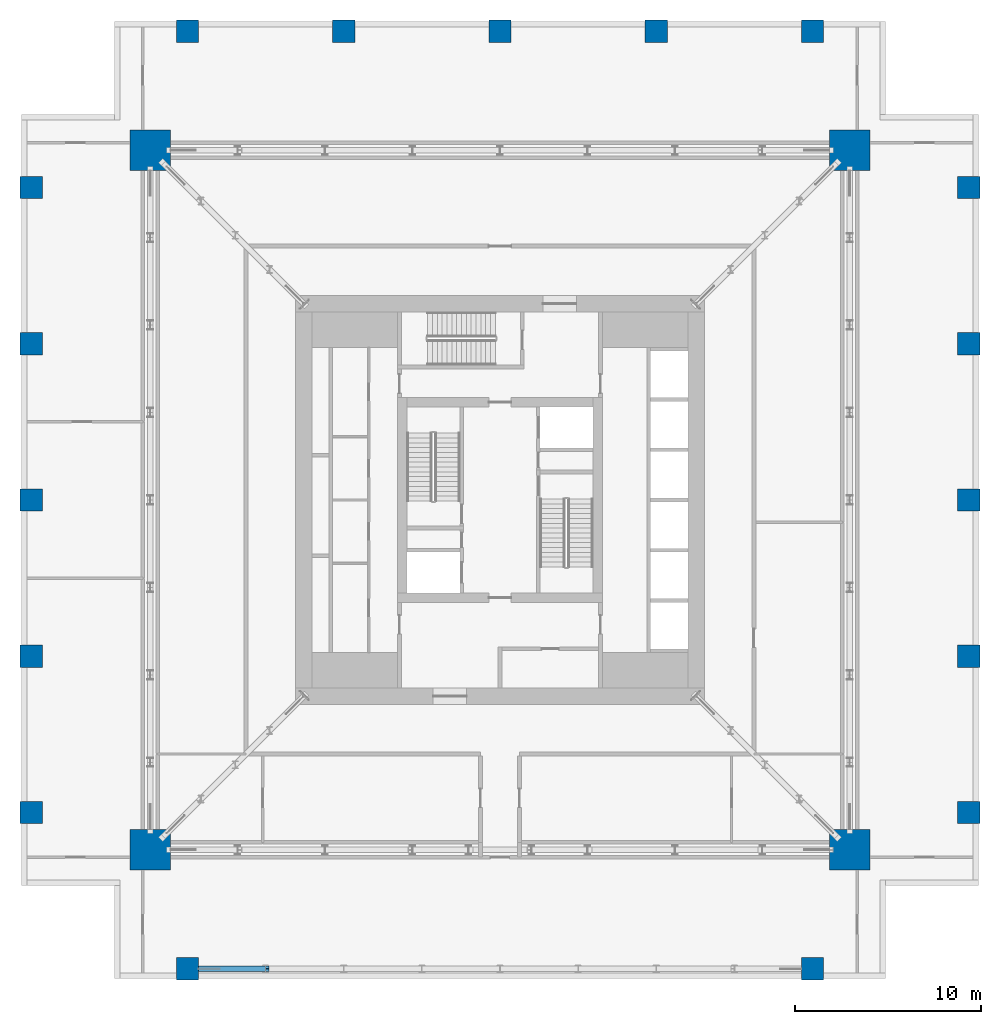
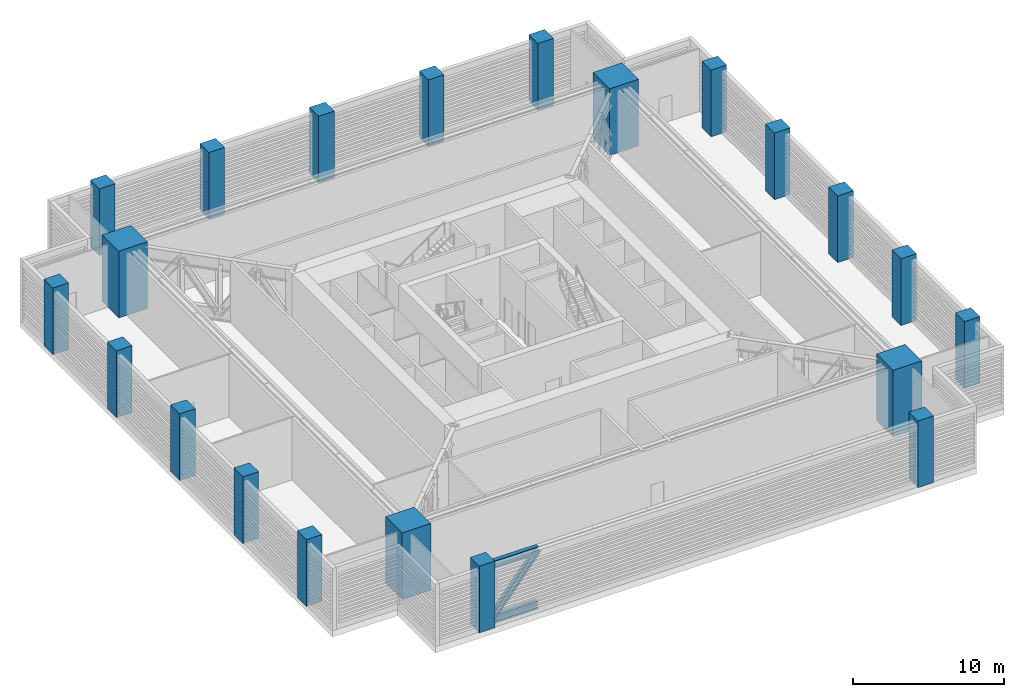
# One storey, part 1 of 16: 21 columns, 3 members.
"""IFC4 building model written with IfcOpenShell, lengths in metres."""

import ifcopenshell
import ifcopenshell.guid

model = None  # the IFC model being written
_history = None  # IfcOwnerHistory: only IFC2X3 demands one
_inside = {}  # id of a spatial element -> (the spatial element, [elements in it])
_under = {}  # id of a project, library or spatial element -> (it, [spatial elements below it])
_declared = {}  # id of a project -> (the project, [libraries it declares])
_typed = {}  # id of a type object -> (the type object, [elements of that type])
_made_of = {}  # id of a material, layer set ... -> (it, [elements and type objects made of it])


def new_model(schema):
    """Start an empty IFC model of exactly this schema.

    Asked for "IFC4X3", IfcOpenShell would pick the latest addendum, in which some entities
    have other attributes; the version numbers below select the first issue.
    IFC2X3 requires an IfcOwnerHistory on every rooted entity: one is made here for all.
    """
    global model, _history
    if schema == "IFC4X3":
        model = ifcopenshell.file(schema_version=(4, 3, 0, 0))
    else:
        model = ifcopenshell.file(schema=schema)
    _inside.clear()
    _under.clear()
    _declared.clear()
    _typed.clear()
    _made_of.clear()
    _history = None
    if model.schema == "IFC2X3":
        org = make("IfcOrganization", Name="unknown")
        user = make(
            "IfcPersonAndOrganization",
            ThePerson=make("IfcPerson", FamilyName="unknown"),
            TheOrganization=org,
        )
        app = make(
            "IfcApplication",
            ApplicationDeveloper=org,
            Version="unknown",
            ApplicationFullName="unknown",
            ApplicationIdentifier="unknown",
        )
        _history = make(
            "IfcOwnerHistory",
            OwningUser=user,
            OwningApplication=app,
            ChangeAction="ADDED",
            CreationDate=0,
        )
    return model


def make(cls, **values):
    """One entity of the class cls with the attributes given. An attribute that is None is left unset."""
    return model.create_entity(
        cls, **{name: value for name, value in values.items() if value is not None}
    )


def rooted(cls, **values):
    """An entity with a GlobalId (a new one), such as an element, a storey or a relation."""
    return make(cls, GlobalId=ifcopenshell.guid.new(), OwnerHistory=_history, **values)


def si_unit(unit_type, name, prefix=None):
    """IfcSIUnit, for example si_unit("LENGTHUNIT", "METRE", prefix="MILLI")."""
    return make("IfcSIUnit", UnitType=unit_type, Prefix=prefix, Name=name)


def assignment(units):
    """IfcUnitAssignment: the units of a project."""
    return None if units is None else make("IfcUnitAssignment", Units=units)


def point(xyz):
    """IfcCartesianPoint."""
    return None if xyz is None else make("IfcCartesianPoint", Coordinates=xyz)


def direction(xyz):
    """IfcDirection."""
    return None if xyz is None else make("IfcDirection", DirectionRatios=xyz)


def frame(location, z_axis=None, x_axis=None):
    """IfcAxis2Placement3D, a coordinate frame: its origin and axes. An axis left out is left unset."""
    return make(
        "IfcAxis2Placement3D",
        Location=point(location),
        Axis=direction(z_axis),
        RefDirection=direction(x_axis),
    )


def frame_2d(location, x_axis=None):
    """IfcAxis2Placement2D, a coordinate frame in the plane: its origin and x axis."""
    return make(
        "IfcAxis2Placement2D", Location=point(location), RefDirection=direction(x_axis)
    )


def origin():
    """The frame at (0, 0, 0) with its axes left unset."""
    return frame((0.0, 0.0, 0.0))


def origin_2d():
    """The frame at (0, 0) in the plane with its x axis left unset."""
    return frame_2d((0.0, 0.0))


def place(relative_to, where):
    """IfcLocalPlacement: puts the frame where relative to a parent placement (None: the world)."""
    return make(
        "IfcLocalPlacement", PlacementRelTo=relative_to, RelativePlacement=where
    )


def context(
    kind, dimensions, precision=None, world=None, true_north=None, identifier=None
):
    """IfcGeometricRepresentationContext, for example the 3D "Model" context."""
    return make(
        "IfcGeometricRepresentationContext",
        ContextIdentifier=identifier,
        ContextType=kind,
        CoordinateSpaceDimension=dimensions,
        Precision=precision,
        WorldCoordinateSystem=world,
        TrueNorth=true_north,
    )


def subcontext(parent, identifier, kind, view, scale=None):
    """IfcGeometricRepresentationSubContext, for example "Body" below "Model"."""
    return make(
        "IfcGeometricRepresentationSubContext",
        ContextIdentifier=identifier,
        ContextType=kind,
        ParentContext=parent,
        TargetScale=scale,
        TargetView=view,
    )


def project(units=None, contexts=None):
    """IfcProject with its units and contexts."""
    return rooted(
        "IfcProject",
        Name="project",
        RepresentationContexts=contexts,
        UnitsInContext=assignment(units),
    )


def spatial(cls, under=None, at=None, **own):
    """A site, building, storey or space (cls), placed at a placement, below another one or the project."""
    s = rooted(cls, ObjectPlacement=at, **own)
    if under is not None:
        _under.setdefault(under.id(), (under, []))[1].append(s)
    return s


def profile(cls, at=None, kind="AREA", **sizes):
    """A parametric profile (cls). Its sizes go by their IFC names, for example OverallWidth=200.0."""
    return make(cls, ProfileType=kind, Position=at, **sizes)


def rectangle(**sizes):
    """IfcRectangleProfileDef."""
    return profile("IfcRectangleProfileDef", **sizes)


def i_section(**sizes):
    """IfcIShapeProfileDef."""
    return profile("IfcIShapeProfileDef", **sizes)


def extrude(swept, where, along, depth):
    """IfcExtrudedAreaSolid: the profile swept, set in the frame where, extruded along a direction by depth."""
    return make(
        "IfcExtrudedAreaSolid",
        SweptArea=swept,
        Position=where,
        ExtrudedDirection=direction(along),
        Depth=depth,
    )


def shape(context_of_items, identifier, shape_type, items):
    """IfcShapeRepresentation: the items that make up one representation, for example the "Body"."""
    return make(
        "IfcShapeRepresentation",
        ContextOfItems=context_of_items,
        RepresentationIdentifier=identifier,
        RepresentationType=shape_type,
        Items=items,
    )


def material(Name=None, Category=None):
    """IfcMaterial."""
    return make("IfcMaterial", Name=Name, Category=Category)


def material_profile(
    of_material, cross_section, Name=None, Category=None, Priority=None
):
    """IfcMaterialProfile: a cross section and its material."""
    return make(
        "IfcMaterialProfile",
        Name=Name,
        Material=of_material,
        Profile=cross_section,
        Priority=Priority,
        Category=Category,
    )


def profile_set(profiles, Name=None, composite=None):
    """IfcMaterialProfileSet."""
    return make(
        "IfcMaterialProfileSet",
        Name=Name,
        MaterialProfiles=profiles,
        CompositeProfile=composite,
    )


def made_of(thing, what):
    """Note that an element or type object is made of a material, layer set ...; save() writes the relation."""
    if what is not None:
        _made_of.setdefault(what.id(), (what, []))[1].append(thing)
    return thing


def type_object(cls, material=None, **own):
    """A type object (cls), such as IfcWallType, which elements share."""
    return made_of(rooted(cls, **own), material)


def element(
    cls,
    number,
    at=None,
    inside=None,
    cuts=None,
    type_object=None,
    material=None,
    context=None,
    identifier="Body",
    shape_type=None,
    held_by="IfcProductDefinitionShape",
    body=None,
    shapes=None,
    **own,
):
    """One element of the class cls, such as IfcWall. Its Tag is "e" and its number.

    at: its placement. inside: the storey or other place that contains it. cuts: it is an
    opening in that element (IfcRelVoidsElement). A single representation is given by context,
    identifier, shape_type and body (its items); several are given by shapes. held_by: the class
    of the entity that holds the representations. save() writes the other relations.
    """
    e = rooted(cls, Tag="e%d" % number, ObjectPlacement=at, **own)
    if body is not None:
        shapes = [shape(context, identifier, shape_type, body)]
    if shapes is not None:
        e.Representation = make(held_by, Representations=shapes)
    if inside is not None:
        _inside.setdefault(inside.id(), (inside, []))[1].append(e)
    if cuts is not None:
        rooted(
            "IfcRelVoidsElement", RelatingBuildingElement=cuts, RelatedOpeningElement=e
        )
    if type_object is not None:
        _typed.setdefault(type_object.id(), (type_object, []))[1].append(e)
    return made_of(e, material)


def aggregate(whole, parts):
    """IfcRelAggregates: a whole, such as a stair, and the parts it consists of."""
    return rooted("IfcRelAggregates", RelatingObject=whole, RelatedObjects=parts)


def save(model, path):
    """Write the relations noted so far, then the file.

    IfcRelAggregates (storeys below a building ...), IfcRelContainedInSpatialStructure (elements
    in a storey), IfcRelDefinesByType, IfcRelAssociatesMaterial and IfcRelDeclares: one each for
    every whole, place, type object, material and project.
    """
    for whole, parts in _under.values():
        aggregate(whole, parts)
    for where, things in _inside.values():
        rooted(
            "IfcRelContainedInSpatialStructure",
            RelatedElements=things,
            RelatingStructure=where,
        )
    for kind, things in _typed.values():
        rooted("IfcRelDefinesByType", RelatedObjects=things, RelatingType=kind)
    for what, things in _made_of.values():
        rooted("IfcRelAssociatesMaterial", RelatedObjects=things, RelatingMaterial=what)
    for by, libraries in _declared.values():
        rooted("IfcRelDeclares", RelatingContext=by, RelatedDefinitions=libraries)
    model.write(path)


model = new_model("IFC4")

# Units and contexts
model_context = context("Model", 3, precision=1e-05, world=origin(), true_north=direction((0.0, 1.0)))
body_context = subcontext(model_context, "Body", "Model", "MODEL_VIEW")
ifc_project = project(units=[si_unit("LENGTHUNIT", "METRE"), si_unit("AREAUNIT", "SQUARE_METRE"), si_unit("VOLUMEUNIT", "CUBIC_METRE"), si_unit("PLANEANGLEUNIT", "RADIAN"), si_unit("MASSUNIT", "GRAM", prefix="KILO")], contexts=[model_context])

# Site, building, storey
site_placement = place(None, origin())
site = spatial("IfcSite", under=ifc_project, at=site_placement, CompositionType="ELEMENT")
building_placement = place(site_placement, origin())
building = spatial("IfcBuilding", under=site, at=building_placement, Name="Khepri Terraces", CompositionType="ELEMENT")
storey_placement = place(building_placement, frame((0.0, 0.0, 287.39990234375)))
storey = spatial("IfcBuildingStorey", under=building, at=storey_placement, Name="L69", CompositionType="ELEMENT", Elevation=287.39990234375)

# Columns
ifc_material_1 = material(Name="Concrete C40/50", Category="concrete")
ifc_material_profile_1 = material_profile(ifc_material_1, rectangle(XDim=2.199951171875, YDim=2.199951171875, at=origin_2d()), Name="Concrete C40/50", Category="concrete")
ifc_profile_set_1 = profile_set([ifc_material_profile_1], Name="Concrete C40/50")
column_type_1 = type_object("IfcColumnType", Name="Mega column RC 2200x2200 C40/50", PredefinedType="COLUMN", material=ifc_profile_set_1)
for number, where, z_axis, x_axis, name in (
    (1, (18.800048828125, 18.800048828125, 0.0), (0.0, 0.0, 1.0), (1.0, 0.0, 0.0), "Mega column MEN L69"),
    (2, (18.800048828125, -18.800048828125, 0.0), (0.0, 0.0, 1.0), (1.0, 0.0, 0.0), "Mega column MES L69"),
    (3, (-18.800048828125, 18.800048828125, 0.0), (0.0, 0.0, 1.0), (1.0, 0.0, 0.0), "Mega column MWN L69"),
    (4, (-18.800048828125, -18.800048828125, 0.0), (0.0, 0.0, 1.0), (1.0, 0.0, 0.0), "Mega column MWS L69"),
):
    element("IfcColumn", number, at=place(storey_placement, frame(where, z_axis=z_axis, x_axis=x_axis)), inside=storey, type_object=column_type_1, Name=name, PredefinedType="COLUMN", context=body_context, shape_type="SweptSolid", body=[
        extrude(rectangle(XDim=2.199951171875, YDim=2.199951171875, at=origin_2d()), origin(), (0.0, 0.0, 1.0), 5.400146484375),
    ])
ifc_material_profile_2 = material_profile(ifc_material_1, rectangle(XDim=1.199951171875, YDim=1.199951171875, at=origin_2d()), Name="Concrete C40/50", Category="concrete")
ifc_profile_set_2 = profile_set([ifc_material_profile_2], Name="Concrete C40/50")
column_type_2 = type_object("IfcColumnType", Name="Tower column RC 1200x1200 C40/50", PredefinedType="COLUMN", material=ifc_profile_set_2)
for number, where, z_axis, x_axis, name in (
    (5, (25.199951171875, 0.0, 0.0), (0.0, 0.0, 1.0), (1.0, 0.0, 0.0), "Perimeter column PE+000b L69"),
    (6, (25.199951171875, 8.39990234375, 0.0), (0.0, 0.0, 1.0), (1.0, 0.0, 0.0), "Perimeter column PE+084b L69"),
    (7, (25.199951171875, 16.800048828125, 0.0), (0.0, 0.0, 1.0), (1.0, 0.0, 0.0), "Perimeter column PE+168a L69"),
    (8, (25.199951171875, -8.39990234375, 0.0), (0.0, 0.0, 1.0), (1.0, 0.0, 0.0), "Perimeter column PE-084b L69"),
    (9, (25.199951171875, -16.800048828125, 0.0), (0.0, 0.0, 1.0), (1.0, 0.0, 0.0), "Perimeter column PE-168a L69"),
    (10, (0.0, 25.199951171875, 0.0), (0.0, 0.0, 1.0), (1.0, 0.0, 0.0), "Perimeter column PN+000b L69"),
    (11, (-8.39990234375, 25.199951171875, 0.0), (0.0, 0.0, 1.0), (1.0, 0.0, 0.0), "Perimeter column PN+084b L69"),
    (12, (-16.800048828125, 25.199951171875, 0.0), (0.0, 0.0, 1.0), (1.0, 0.0, 0.0), "Perimeter column PN+168a L69"),
    (13, (8.39990234375, 25.199951171875, 0.0), (0.0, 0.0, 1.0), (1.0, 0.0, 0.0), "Perimeter column PN-084b L69"),
    (14, (16.800048828125, 25.199951171875, 0.0), (0.0, 0.0, 1.0), (1.0, 0.0, 0.0), "Perimeter column PN-168a L69"),
    (15, (16.800048828125, -25.199951171875, 0.0), (0.0, 0.0, 1.0), (1.0, 0.0, 0.0), "Perimeter column PS+168a L69"),
    (16, (-16.800048828125, -25.199951171875, 0.0), (0.0, 0.0, 1.0), (1.0, 0.0, 0.0), "Perimeter column PS-168a L69"),
    (17, (-25.199951171875, 0.0, 0.0), (0.0, 0.0, 1.0), (1.0, 0.0, 0.0), "Perimeter column PW+000b L69"),
    (18, (-25.199951171875, -8.39990234375, 0.0), (0.0, 0.0, 1.0), (1.0, 0.0, 0.0), "Perimeter column PW+084b L69"),
    (19, (-25.199951171875, -16.800048828125, 0.0), (0.0, 0.0, 1.0), (1.0, 0.0, 0.0), "Perimeter column PW+168a L69"),
    (20, (-25.199951171875, 8.39990234375, 0.0), (0.0, 0.0, 1.0), (1.0, 0.0, 0.0), "Perimeter column PW-084b L69"),
    (21, (-25.199951171875, 16.800048828125, 0.0), (0.0, 0.0, 1.0), (1.0, 0.0, 0.0), "Perimeter column PW-168a L69"),
):
    element("IfcColumn", number, at=place(storey_placement, frame(where, z_axis=z_axis, x_axis=x_axis)), inside=storey, type_object=column_type_2, Name=name, PredefinedType="COLUMN", context=body_context, shape_type="SweptSolid", body=[
        extrude(rectangle(XDim=1.199951171875, YDim=1.199951171875, at=origin_2d()), origin(), (0.0, 0.0, 1.0), 5.400146484375),
    ])

# Members
ifc_material_2 = material(Name="Steel S355", Category="steel")
ifc_material_profile_3 = material_profile(ifc_material_2, i_section(OverallWidth=0.304931640625, OverallDepth=0.6201171875, WebThickness=0.02099609375, FlangeThickness=0.0400390625, FilletRadius=0.027099609375, at=origin_2d()), Name="Steel S355", Category="steel")
ifc_profile_set_3 = profile_set([ifc_material_profile_3], Name="Steel S355")
member_type_1 = type_object("IfcMemberType", Name="Transfer truss chord HEM 600", PredefinedType="CHORD", material=ifc_profile_set_3)
for number, where, z_axis, x_axis, name in (
    (22, (-16.199951171875, -25.199951171875, 0.31005859375), (1.0, 0.0, 0.0), (0.0, 1.0, 0.0), "Transfer truss chord TT-69-S bottom 1"),
    (23, (-16.199951171875, -25.199951171875, 4.739990234375), (1.0, 0.0, 0.0), (0.0, 1.0, 0.0), "Transfer truss chord TT-69-S top 1"),
):
    element("IfcMember", number, at=place(storey_placement, frame(where, z_axis=z_axis, x_axis=x_axis)), inside=storey, type_object=member_type_1, Name=name, PredefinedType="CHORD", context=body_context, shape_type="SweptSolid", body=[
        extrude(i_section(OverallWidth=0.304931640625, OverallDepth=0.6201171875, WebThickness=0.02099609375, FlangeThickness=0.0400390625, FilletRadius=0.027099609375, at=origin_2d()), origin(), (0.0, 0.0, 1.0), 3.599853515625),
    ])
ifc_material_profile_4 = material_profile(ifc_material_2, i_section(OverallWidth=0.300048828125, OverallDepth=0.489990234375, WebThickness=0.011962890625, FlangeThickness=0.02294921875, FilletRadius=0.027099609375, at=origin_2d()), Name="Steel S355", Category="steel")
ifc_profile_set_4 = profile_set([ifc_material_profile_4], Name="Steel S355")
member_type_2 = type_object("IfcMemberType", Name="Transfer truss diagonal HEA 500", PredefinedType="BRACE", material=ifc_profile_set_4)
member_placement = place(storey_placement, frame((-16.199951171875, -25.199951171875, 0.31005859375), z_axis=(0.630648979673, 0.0, 0.776068208624), x_axis=(0.0, 1.0, 0.0)))
element("IfcMember", 24, at=member_placement, inside=storey, type_object=member_type_2, Name="Transfer truss diagonal TT-69-S 1", PredefinedType="BRACE", context=body_context, shape_type="SweptSolid", body=[
    extrude(i_section(OverallWidth=0.300048828125, OverallDepth=0.489990234375, WebThickness=0.011962890625, FlangeThickness=0.02294921875, FilletRadius=0.027099609375, at=origin_2d()), origin(), (0.0, 0.0, 1.0), 5.708251953125),
])

save(model, "model.ifc")
